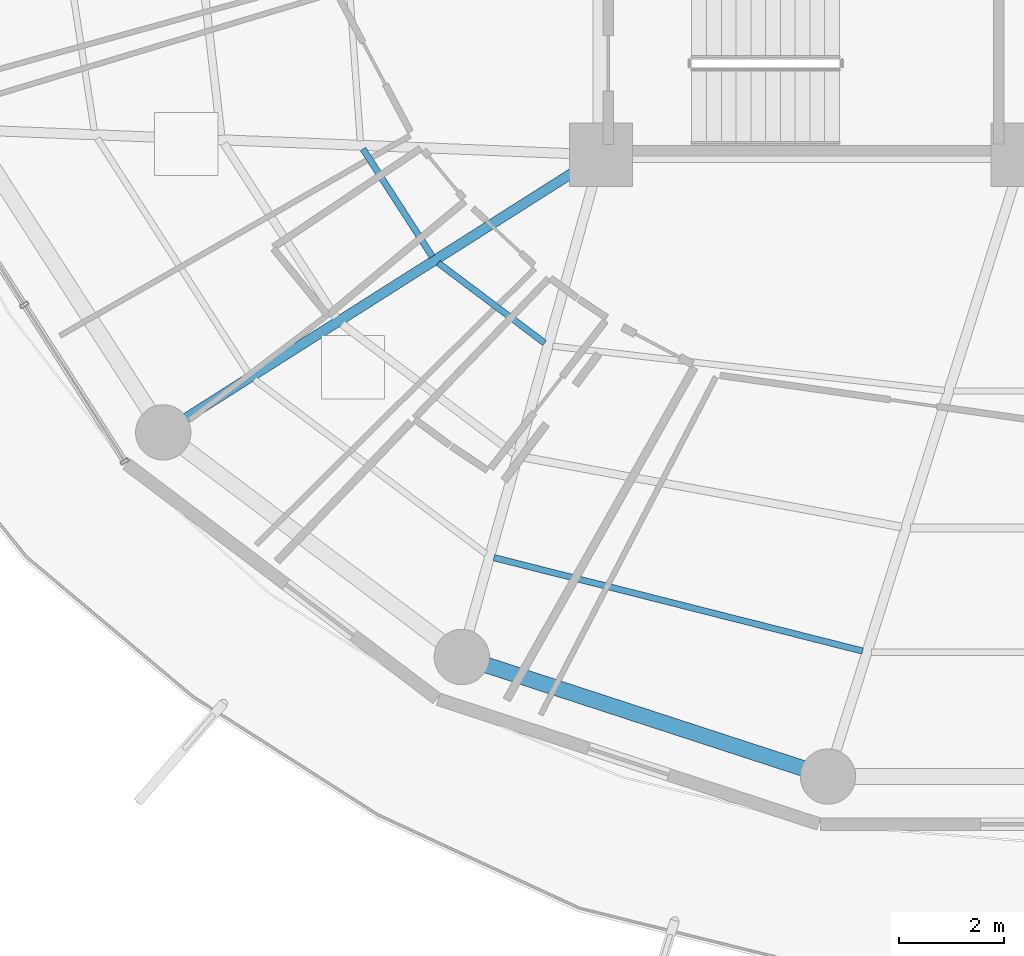
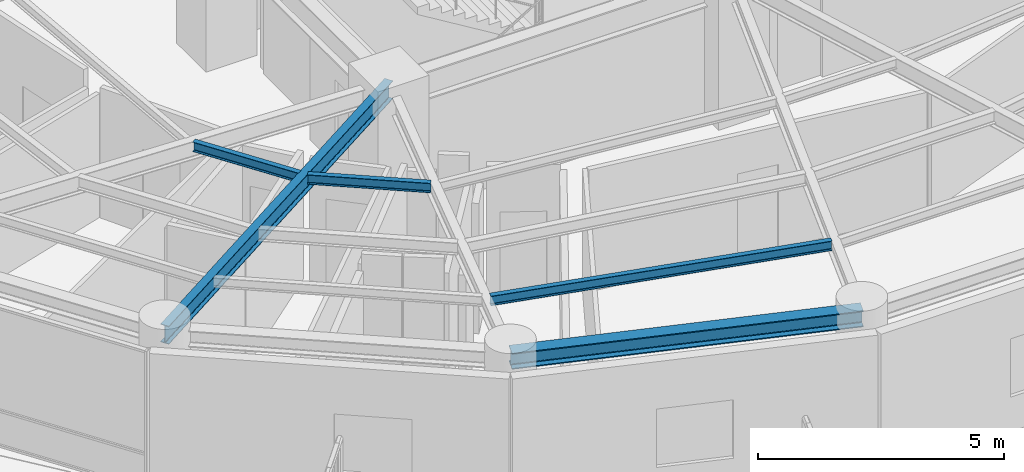
# One storey, part 3 of 31: 5 beams.
"""IFC4 building model written with IfcOpenShell, lengths in metres."""

from ifc_helpers import new_model, si_unit, direction, frame, origin, origin_2d, place, context, subcontext, project, spatial, i_section, extrude, material, material_profile, profile_set, type_object, element, save


model = new_model("IFC4")

# Units and contexts
model_context = context("Model", 3, precision=1e-05, world=origin(), true_north=direction((0.0, 1.0)))
body_context = subcontext(model_context, "Body", "Model", "MODEL_VIEW")
ifc_project = project(units=[si_unit("LENGTHUNIT", "METRE"), si_unit("AREAUNIT", "SQUARE_METRE"), si_unit("VOLUMEUNIT", "CUBIC_METRE"), si_unit("PLANEANGLEUNIT", "RADIAN"), si_unit("MASSUNIT", "GRAM", prefix="KILO")], contexts=[model_context])

# Site, building, storey
site_placement = place(None, origin())
site = spatial("IfcSite", under=ifc_project, at=site_placement, CompositionType="ELEMENT")
building_placement = place(site_placement, origin())
building = spatial("IfcBuilding", under=site, at=building_placement, Name="Kelanora Arch Commons", CompositionType="ELEMENT")
storey_placement = place(building_placement, frame((0.0, 0.0, 200.699951171875)))
storey = spatial("IfcBuildingStorey", under=building, at=storey_placement, Name="L51", CompositionType="ELEMENT", Elevation=200.699951171875)

# Beams
ifc_material = material(Name="Steel S355", Category="steel")
ifc_material_profile_1 = material_profile(ifc_material, i_section(OverallWidth=0.1201171875, OverallDepth=0.239990234375, WebThickness=0.006103515625, FlangeThickness=0.009765625, FilletRadius=0.014892578125, at=origin_2d()), Name="IPE240")
ifc_profile_set_1 = profile_set([ifc_material_profile_1], Name="Steel S355")
beam_type_1 = type_object("IfcBeamType", Name="BM-JST-02", PredefinedType="JOIST", material=ifc_profile_set_1)
beam_1_placement = place(storey_placement, frame((61.4873046875, 51.10888671875, 3.3701171875), z_axis=(0.541332763503, -0.840808443796, 0.0), x_axis=(0.840808443796, 0.541332763503, 0.0)))
element("IfcBeam", 1, at=beam_1_placement, inside=storey, type_object=beam_type_1, Name="Secondary Chord Joist BJA-20 L51", PredefinedType="JOIST", context=body_context, shape_type="SweptSolid", body=[
    extrude(i_section(OverallWidth=0.1201171875, OverallDepth=0.239990234375, WebThickness=0.006103515625, FlangeThickness=0.009765625, FilletRadius=0.014892578125, at=origin_2d()), origin(), (0.0, 0.0, 1.0), 2.423583984375),
])
beam_2_placement = place(storey_placement, frame((62.913330078125, 48.948486328125, 3.3701171875), z_axis=(0.79911638933, -0.601176343766, 0.0), x_axis=(0.601176343766, 0.79911638933, 0.0)))
element("IfcBeam", 2, at=beam_2_placement, inside=storey, type_object=beam_type_1, Name="Secondary Chord Joist BJA-22 L51", PredefinedType="JOIST", context=body_context, shape_type="SweptSolid", body=[
    extrude(i_section(OverallWidth=0.1201171875, OverallDepth=0.239990234375, WebThickness=0.006103515625, FlangeThickness=0.009765625, FilletRadius=0.014892578125, at=origin_2d()), origin(), (0.0, 0.0, 1.0), 2.522216796875),
])
beam_3_placement = place(storey_placement, frame((63.970458984375, 43.360107421875, 3.3701171875), z_axis=(0.969370989998, -0.245601066263, 0.0), x_axis=(0.245601066263, 0.969370989998, 0.0)))
element("IfcBeam", 3, at=beam_3_placement, inside=storey, type_object=beam_type_1, Name="Secondary Chord Joist BJC-24 L51", PredefinedType="JOIST", context=body_context, shape_type="SweptSolid", body=[
    extrude(i_section(OverallWidth=0.1201171875, OverallDepth=0.239990234375, WebThickness=0.006103515625, FlangeThickness=0.009765625, FilletRadius=0.014892578125, at=origin_2d()), origin(), (0.0, 0.0, 1.0), 7.2119140625),
])
ifc_material_profile_2 = material_profile(ifc_material, i_section(OverallWidth=0.18994140625, OverallDepth=0.449951171875, WebThickness=0.009521484375, FlangeThickness=0.0146484375, FilletRadius=0.02099609375, at=origin_2d()), Name="IPE450")
ifc_profile_set_2 = profile_set([ifc_material_profile_2], Name="Steel S355")
beam_type_2 = type_object("IfcBeamType", Name="BM-RAD-Z4", PredefinedType="BEAM", material=ifc_profile_set_2)
beam_4_placement = place(storey_placement, frame((66.0, 51.0, 3.26513671875), z_axis=(-0.844507208607, -0.535544185489, 0.0), x_axis=(0.535544185489, -0.844507208607, 0.0)))
element("IfcBeam", 4, at=beam_4_placement, inside=storey, type_object=beam_type_2, Name="Radial Floor Girder BR-22 L51", PredefinedType="BEAM", context=body_context, shape_type="SweptSolid", body=[
    extrude(i_section(OverallWidth=0.18994140625, OverallDepth=0.449951171875, WebThickness=0.009521484375, FlangeThickness=0.0146484375, FilletRadius=0.02099609375, at=origin_2d()), origin(), (0.0, 0.0, 1.0), 9.830078125),
])
ifc_material_profile_3 = material_profile(ifc_material, i_section(OverallWidth=0.300048828125, OverallDepth=0.39990234375, WebThickness=0.013427734375, FlangeThickness=0.02392578125, FilletRadius=0.027099609375, at=origin_2d()), Name="HEB400")
ifc_profile_set_3 = profile_set([ifc_material_profile_3], Name="Steel S355")
beam_type_3 = type_object("IfcBeamType", Name="BM-SPN-Z4", PredefinedType="SPANDREL", material=ifc_profile_set_3)
beam_5_placement = place(storey_placement, frame((63.360107421875, 41.476318359375, 3.2900390625), z_axis=(0.950656361143, -0.310245842872, 0.0), x_axis=(0.310245842872, 0.950656361143, 0.0)))
element("IfcBeam", 5, at=beam_5_placement, inside=storey, type_object=beam_type_3, Name="Perimeter Spandrel Beam BS-24 L51", PredefinedType="SPANDREL", context=body_context, shape_type="SweptSolid", body=[
    extrude(i_section(OverallWidth=0.300048828125, OverallDepth=0.39990234375, WebThickness=0.013427734375, FlangeThickness=0.02392578125, FilletRadius=0.027099609375, at=origin_2d()), origin(), (0.0, 0.0, 1.0), 7.304931640625),
])

save(model, "model.ifc")
